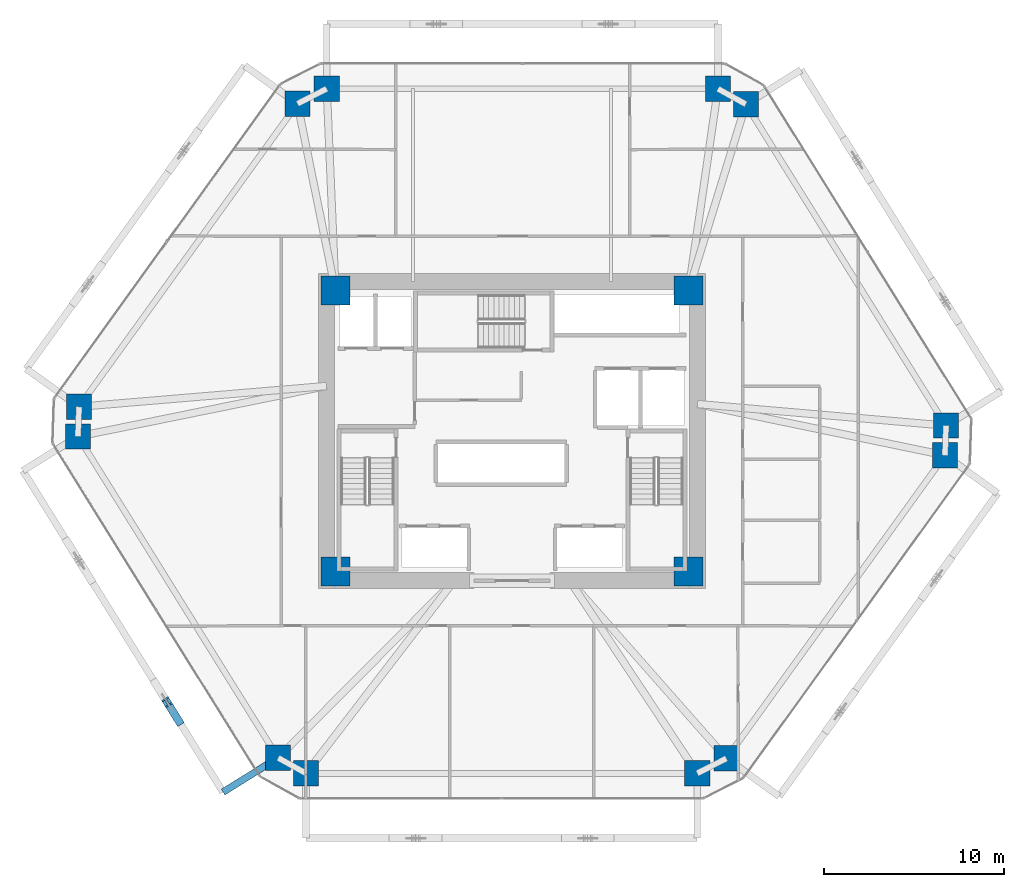
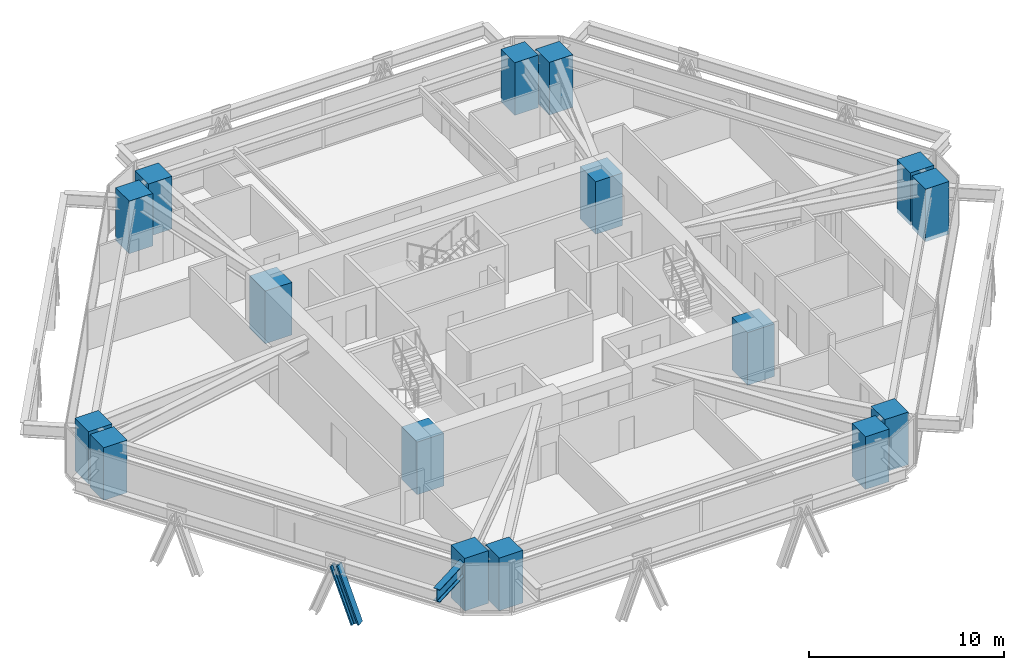
# One storey, part 1 of 17: 16 columns, 1 beam, 1 member.
"""IFC4 building model written with IfcOpenShell, lengths in metres."""

from ifc_helpers import new_model, si_unit, direction, frame, origin, origin_2d, place, context, subcontext, project, spatial, rectangle, i_section, extrude, source, transform, mapped, material, material_profile, profile_set, type_object, type_shapes, element, save


model = new_model("IFC4")

# Units and contexts
model_context = context("Model", 3, precision=1e-05, world=origin(), true_north=direction((0.0, 1.0)))
body_context = subcontext(model_context, "Body", "Model", "MODEL_VIEW")
ifc_project = project(units=[si_unit("LENGTHUNIT", "METRE"), si_unit("AREAUNIT", "SQUARE_METRE"), si_unit("VOLUMEUNIT", "CUBIC_METRE"), si_unit("PLANEANGLEUNIT", "RADIAN"), si_unit("MASSUNIT", "GRAM", prefix="KILO")], contexts=[model_context])

# Site, building, storey
site_placement = place(None, origin())
site = spatial("IfcSite", under=ifc_project, at=site_placement, CompositionType="ELEMENT")
building_placement = place(site_placement, origin())
building = spatial("IfcBuilding", under=site, at=building_placement, Name="Durnholm Broadcast Tower", CompositionType="ELEMENT")
storey_placement = place(building_placement, frame((0.0, 0.0, 58.800048828125)))
storey = spatial("IfcBuildingStorey", under=building, at=storey_placement, Name="L14", CompositionType="ELEMENT", Elevation=58.800048828125)

# Columns
ifc_material_1 = material(Name="Concrete C70/85", Category="concrete")
ifc_material_profile_1 = material_profile(ifc_material_1, rectangle(XDim=1.60009765625, YDim=1.60009765625, at=origin_2d()), Name="RC1600X1600")
ifc_profile_set_1 = profile_set([ifc_material_profile_1], Name="Concrete C70/85")
column_type_1 = type_object("IfcColumnType", Name="COL-CC-1600", PredefinedType="COLUMN", material=ifc_profile_set_1)
shared_shape_1 = source(origin(), body_context, "Body", "SweptSolid", [
    extrude(rectangle(XDim=1.60009765625, YDim=1.60009765625, at=origin_2d()), origin(), (0.0, 0.0, 1.0), 3.300048828125),
])
type_shapes(column_type_1, [shared_shape_1])
for number, where, z_axis, x_axis, name in (
    (1, (-9.800048828125, -7.800048828125, -0.239990234375), (0.0, 0.0, 1.0), (1.0, 0.0, 0.0), "L14 core corner column 1"),
    (2, (9.800048828125, -7.800048828125, -0.239990234375), (0.0, 0.0, 1.0), (1.0, 0.0, 0.0), "L14 core corner column 2"),
    (3, (9.800048828125, 7.800048828125, -0.239990234375), (0.0, 0.0, 1.0), (1.0, 0.0, 0.0), "L14 core corner column 3"),
    (4, (-9.800048828125, 7.800048828125, -0.239990234375), (0.0, 0.0, 1.0), (1.0, 0.0, 0.0), "L14 core corner column 4"),
):
    element("IfcColumn", number, at=place(storey_placement, frame(where, z_axis=z_axis, x_axis=x_axis)), inside=storey, type_object=column_type_1, Name=name, PredefinedType="COLUMN", context=body_context, shape_type="MappedRepresentation", body=[
        mapped(shared_shape_1, transform((0.0, 0.0, 0.0), x_axis=(1.0, 0.0, 0.0), y_axis=(0.0, 1.0, 0.0), z_axis=(0.0, 0.0, 1.0), scale=1.0)),
    ])
ifc_material_profile_2 = material_profile(ifc_material_1, rectangle(XDim=1.39990234375, YDim=1.39990234375, at=origin_2d()), Name="RC1400X1400")
ifc_profile_set_2 = profile_set([ifc_material_profile_2], Name="Concrete C70/85")
column_type_2 = type_object("IfcColumnType", Name="COL-CC-1400", PredefinedType="COLUMN", material=ifc_profile_set_2)
shared_shape_2 = source(origin(), body_context, "Body", "SweptSolid", [
    extrude(rectangle(XDim=1.39990234375, YDim=1.39990234375, at=origin_2d()), origin(), (0.0, 0.0, 1.0), 3.300048828125),
])
type_shapes(column_type_2, [shared_shape_2])
for number, where, z_axis, x_axis, name in (
    (5, (-12.982666015625, -18.138427734375, -0.239990234375), (0.0, 0.0, 1.0), (1.0, 0.0, 0.0), "L14 perimeter hexagonal tube column 01"),
    (6, (-24.0908203125, -0.2998046875, -0.239990234375), (0.0, 0.0, 1.0), (1.0, 0.0, 0.0), "L14 perimeter hexagonal tube column 02"),
    (7, (-24.034912109375, 1.347412109375, -0.239990234375), (0.0, 0.0, 1.0), (1.0, 0.0, 0.0), "L14 perimeter hexagonal tube column 03"),
    (8, (-11.907470703125, 18.16845703125, -0.239990234375), (0.0, 0.0, 1.0), (1.0, 0.0, 0.0), "L14 perimeter hexagonal tube column 04"),
    (9, (-10.28271484375, 19.0, -0.239990234375), (0.0, 0.0, 1.0), (1.0, 0.0, 0.0), "L14 perimeter hexagonal tube column 05"),
    (10, (11.43115234375, 19.0, -0.239990234375), (0.0, 0.0, 1.0), (1.0, 0.0, 0.0), "L14 perimeter hexagonal tube column 06"),
    (11, (12.982666015625, 18.138427734375, -0.239990234375), (0.0, 0.0, 1.0), (1.0, 0.0, 0.0), "L14 perimeter hexagonal tube column 07"),
    (12, (24.0908203125, 0.2998046875, -0.239990234375), (0.0, 0.0, 1.0), (1.0, 0.0, 0.0), "L14 perimeter hexagonal tube column 08"),
    (13, (24.034912109375, -1.347412109375, -0.239990234375), (0.0, 0.0, 1.0), (1.0, 0.0, 0.0), "L14 perimeter hexagonal tube column 09"),
    (14, (11.907470703125, -18.16845703125, -0.239990234375), (0.0, 0.0, 1.0), (1.0, 0.0, 0.0), "L14 perimeter hexagonal tube column 10"),
    (15, (10.28271484375, -19.0, -0.239990234375), (0.0, 0.0, 1.0), (1.0, 0.0, 0.0), "L14 perimeter hexagonal tube column 11"),
    (16, (-11.43115234375, -19.0, -0.239990234375), (0.0, 0.0, 1.0), (1.0, 0.0, 0.0), "L14 perimeter hexagonal tube column 12"),
):
    element("IfcColumn", number, at=place(storey_placement, frame(where, z_axis=z_axis, x_axis=x_axis)), inside=storey, type_object=column_type_2, Name=name, PredefinedType="COLUMN", context=body_context, shape_type="MappedRepresentation", body=[
        mapped(shared_shape_2, transform((0.0, 0.0, 0.0), x_axis=(1.0, 0.0, 0.0), y_axis=(0.0, 1.0, 0.0), z_axis=(0.0, 0.0, 1.0), scale=1.0)),
    ])

# Beam
ifc_material_2 = material(Name="Steel ASTM A992 Grade 50", Category="steel")
ifc_material_profile_3 = material_profile(ifc_material_2, i_section(OverallWidth=0.385009765625, OverallDepth=0.802978515625, WebThickness=0.023681640625, FlangeThickness=0.0419921875, FilletRadius=0.032958984375, at=origin_2d()), Name="W30X261")
ifc_profile_set_3 = profile_set([ifc_material_profile_3], Name="Steel ASTM A992 Grade 50")
beam_type = type_object("IfcBeamType", Name="BM-EXO-TIE", PredefinedType="USERDEFINED", material=ifc_profile_set_3)
shared_shape_3 = source(origin(), body_context, "Body", "SweptSolid", [
    extrude(i_section(OverallWidth=0.385009765625, OverallDepth=0.802978515625, WebThickness=0.023681640625, FlangeThickness=0.0419921875, FilletRadius=0.032958984375, at=origin_2d()), origin(), (0.0, 0.0, 1.0), 3.4560546875),
])
type_shapes(beam_type, [shared_shape_3])
beam_placement = place(storey_placement, frame((-13.10498046875, -18.214599609375, 2.30859375), z_axis=(-0.848854443891, -0.528626648105, 0.0), x_axis=(0.528626648105, -0.848854443891, 0.0)))
element("IfcBeam", 17, at=beam_placement, inside=storey, type_object=beam_type, Name="L14 exoskeleton stand-off tie bracket F6.2", ObjectType="GIRDER", PredefinedType="USERDEFINED", context=body_context, shape_type="MappedRepresentation", body=[
    mapped(shared_shape_3, transform((0.0, 0.0, 0.0), x_axis=(1.0, 0.0, 0.0), y_axis=(0.0, 1.0, 0.0), z_axis=(0.0, 0.0, 1.0), scale=1.0)),
])

# Member
ifc_material_3 = material(Name="Steel ASTM A913 Grade 65", Category="steel")
ifc_material_profile_4 = material_profile(ifc_material_3, i_section(OverallWidth=0.43212890625, OverallDepth=0.497802734375, WebThickness=0.0556640625, FlangeThickness=0.0888671875, FilletRadius=0.030517578125, at=origin_2d()), Name="W14X500")
ifc_profile_set_4 = profile_set([ifc_material_profile_4], Name="Steel ASTM A913 Grade 65")
member_type = type_object("IfcMemberType", Name="STL-DG-W14X500", PredefinedType="BRACE", material=ifc_profile_set_4)
shared_shape_4 = source(origin(), body_context, "Body", "SweptSolid", [
    extrude(i_section(OverallWidth=0.43212890625, OverallDepth=0.497802734375, WebThickness=0.0556640625, FlangeThickness=0.0888671875, FilletRadius=0.030517578125, at=origin_2d()), origin(), (0.0, 0.0, 1.0), 3.523193359375),
])
type_shapes(member_type, [shared_shape_4])
member_placement = place(storey_placement, frame((-18.496826171875, -16.09375, -0.991455078125), z_axis=(-0.185090383068, 0.297281072018, 0.936677913861), x_axis=(-0.848908635391, -0.528539618911, 0.0)))
element("IfcMember", 18, at=member_placement, inside=storey, type_object=member_type, Name="L14 stand-off diagrid brace F6.D2.2", PredefinedType="BRACE", context=body_context, shape_type="MappedRepresentation", body=[
    mapped(shared_shape_4, transform((0.0, 0.0, 0.0), x_axis=(1.0, 0.0, 0.0), y_axis=(0.0, 1.0, 0.0), z_axis=(0.0, 0.0, 1.0), scale=1.0)),
])

save(model, "model.ifc")
